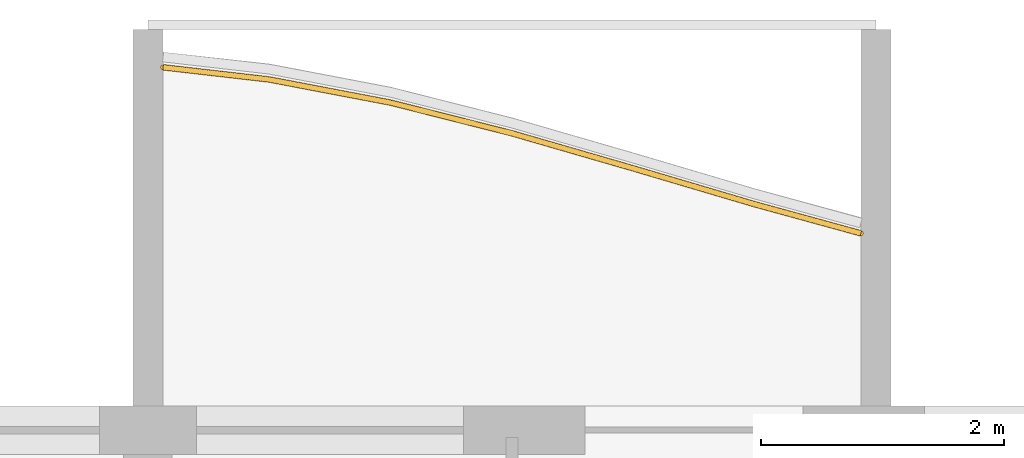
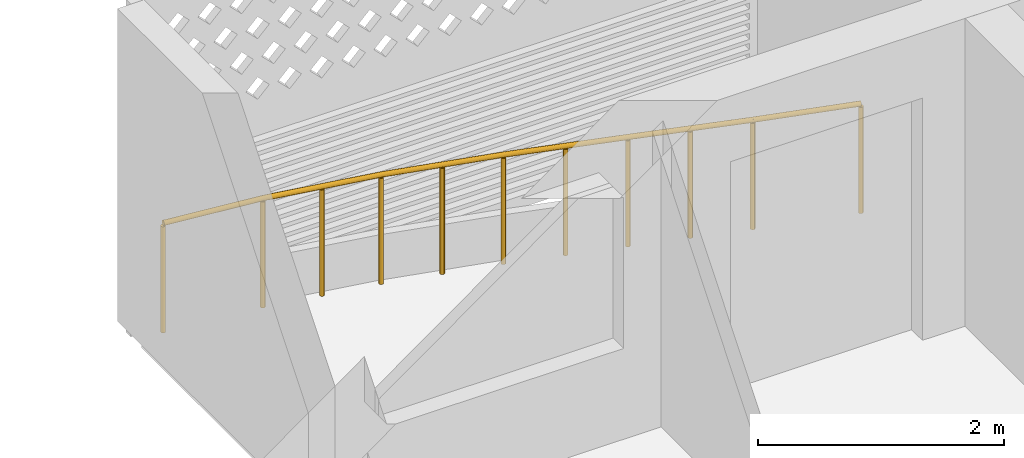
# One storey, part 22 of 38: 1 railing.
"""IFC4 building model written with IfcOpenShell, lengths in metres."""

from ifc_helpers import new_model, si_unit, direction, frame, origin, origin_2d, place, context, subcontext, project, spatial, circle, extrude, material, type_object, element, save


model = new_model("IFC4")

# Units and contexts
model_context = context("Model", 3, precision=1e-05, world=origin(), true_north=direction((0.0, 1.0)))
body_context = subcontext(model_context, "Body", "Model", "MODEL_VIEW")
ifc_project = project(units=[si_unit("LENGTHUNIT", "METRE"), si_unit("AREAUNIT", "SQUARE_METRE"), si_unit("VOLUMEUNIT", "CUBIC_METRE"), si_unit("PLANEANGLEUNIT", "RADIAN"), si_unit("MASSUNIT", "GRAM", prefix="KILO")], contexts=[model_context])

# Site, building, storey
site_placement = place(None, origin())
site = spatial("IfcSite", under=ifc_project, at=site_placement, CompositionType="ELEMENT")
building_placement = place(site_placement, origin())
building = spatial("IfcBuilding", under=site, at=building_placement, Name="Poui Terraces", CompositionType="ELEMENT")
storey_placement = place(building_placement, frame((0.0, 0.0, 46.5)))
storey = spatial("IfcBuildingStorey", under=building, at=storey_placement, Name="L12", CompositionType="ELEMENT", Elevation=46.5)

# Railing
ifc_material = material(Name="Painted steel fretwork", Category="steel")
railing_type = type_object("IfcRailingType", Name="BALCONY GUARD 1100", PredefinedType="GUARDRAIL", material=ifc_material)
railing_placement = place(storey_placement, frame((18.125, 47.7900390625, 0.0)))
element("IfcRailing", 1, at=railing_placement, inside=storey, type_object=railing_type, Name="BALCONY GUARD", PredefinedType="GUARDRAIL", context=body_context, shape_type="SweptSolid", body=[
    extrude(circle(Radius=0.02392578125, at=origin_2d()), frame((0.0, 0.0, 1.076171875), z_axis=(0.99348881845, -0.113929660821, 0.0), x_axis=(0.113929660821, 0.99348881845, 0.0)), (0.0, 0.0, 1.0), 0.880615234375),
    extrude(circle(Radius=0.02392578125, at=origin_2d()), frame((0.875, -0.100341796875, 1.076171875), z_axis=(0.982302864177, -0.187299447491, 0.0), x_axis=(0.187299447491, 0.982302864177, 0.0)), (0.0, 0.0, 1.0), 1.01806640625),
    extrude(circle(Radius=0.02392578125, at=origin_2d()), frame((1.875, -0.291015625, 1.076171875), z_axis=(0.969470524151, -0.245207876714, 0.0), x_axis=(0.245207876714, 0.969470524151, 0.0)), (0.0, 0.0, 1.0), 1.031494140625),
    extrude(circle(Radius=0.02392578125, at=origin_2d()), frame((2.875, -0.5439453125, 1.076171875), z_axis=(0.960669700127, -0.277693585193, 0.0), x_axis=(0.277693585193, 0.960669700127, 0.0)), (0.0, 0.0, 1.0), 1.041015625),
    extrude(circle(Radius=0.02392578125, at=origin_2d()), frame((3.875, -0.8330078125, 1.076171875), z_axis=(0.959029275123, -0.283306988012, 0.0), x_axis=(0.283306988012, 0.959029275123, 0.0)), (0.0, 0.0, 1.0), 1.042724609375),
    extrude(circle(Radius=0.02392578125, at=origin_2d()), frame((4.875, -1.12841796875, 1.076171875), z_axis=(0.964452650042, -0.264255720519, 0.0), x_axis=(0.264255720519, 0.964452650042, 0.0)), (0.0, 0.0, 1.0), 0.9072265625),
    extrude(circle(Radius=0.02099609375, at=origin_2d()), origin(), (0.0, 0.0, 1.0), 1.052001953125),
    extrude(circle(Radius=0.02099609375, at=origin_2d()), frame((0.875, -0.100341796875, 0.0)), (0.0, 0.0, 1.0), 1.052001953125),
    extrude(circle(Radius=0.02099609375, at=origin_2d()), frame((1.375, -0.19580078125, 0.0)), (0.0, 0.0, 1.0), 1.052001953125),
    extrude(circle(Radius=0.02099609375, at=origin_2d()), frame((1.875, -0.291015625, 0.0)), (0.0, 0.0, 1.0), 1.052001953125),
    extrude(circle(Radius=0.02099609375, at=origin_2d()), frame((2.375, -0.41748046875, 0.0)), (0.0, 0.0, 1.0), 1.052001953125),
    extrude(circle(Radius=0.02099609375, at=origin_2d()), frame((2.875, -0.5439453125, 0.0)), (0.0, 0.0, 1.0), 1.052001953125),
    extrude(circle(Radius=0.02099609375, at=origin_2d()), frame((3.375, -0.6884765625, 0.0)), (0.0, 0.0, 1.0), 1.052001953125),
    extrude(circle(Radius=0.02099609375, at=origin_2d()), frame((3.875, -0.8330078125, 0.0)), (0.0, 0.0, 1.0), 1.052001953125),
    extrude(circle(Radius=0.02099609375, at=origin_2d()), frame((4.375, -0.980712890625, 0.0)), (0.0, 0.0, 1.0), 1.052001953125),
    extrude(circle(Radius=0.02099609375, at=origin_2d()), frame((4.875, -1.12841796875, 0.0)), (0.0, 0.0, 1.0), 1.052001953125),
    extrude(circle(Radius=0.02099609375, at=origin_2d()), frame((5.75, -1.3681640625, 0.0)), (0.0, 0.0, 1.0), 1.052001953125),
])

save(model, "model.ifc")
